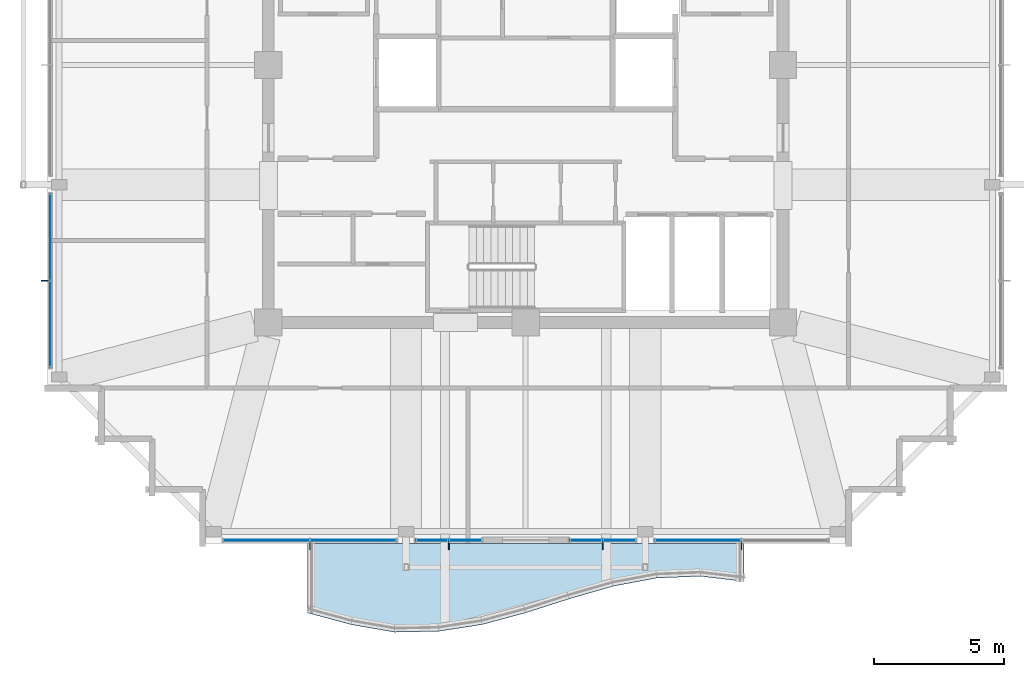
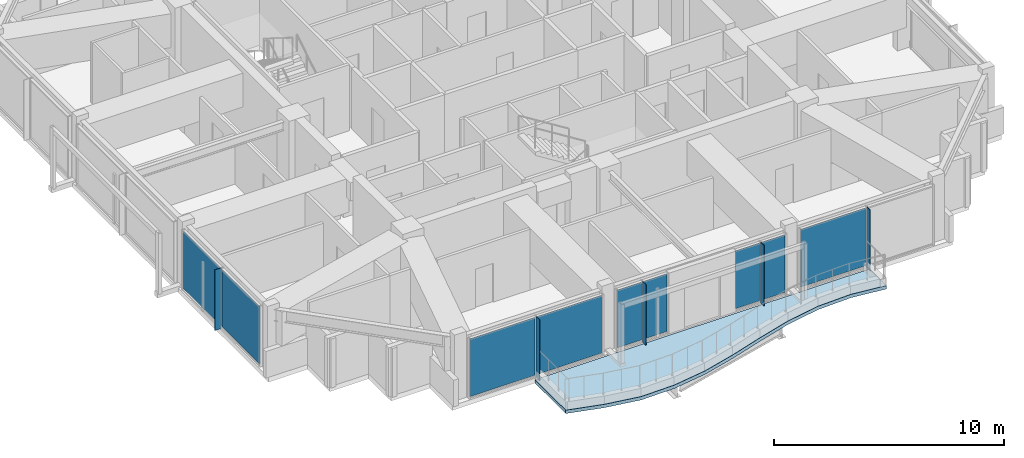
# One storey, part 20 of 30: 14 plates, 1 slab, 5 elements without a shape of their own.
"""IFC4 building model written with IfcOpenShell, lengths in metres."""

from ifc_helpers import new_model, si_unit, direction, frame, origin, origin_2d, place, context, subcontext, project, spatial, polyline, rectangle, outline, extrude, material, layer, layer_set, type_object, element, aggregate, save


model = new_model("IFC4")

# Units and contexts
model_context = context("Model", 3, precision=1e-05, world=origin(), true_north=direction((0.0, 1.0)))
body_context = subcontext(model_context, "Body", "Model", "MODEL_VIEW")
ifc_project = project(units=[si_unit("LENGTHUNIT", "METRE"), si_unit("AREAUNIT", "SQUARE_METRE"), si_unit("VOLUMEUNIT", "CUBIC_METRE"), si_unit("PLANEANGLEUNIT", "RADIAN"), si_unit("MASSUNIT", "GRAM", prefix="KILO")], contexts=[model_context])

# Site, building, storey
site_placement = place(None, origin())
site = spatial("IfcSite", under=ifc_project, at=site_placement, CompositionType="ELEMENT")
building_placement = place(site_placement, origin())
building = spatial("IfcBuilding", under=site, at=building_placement, Name="Kolvaren Belvedere", CompositionType="ELEMENT")
storey_placement = place(building_placement, frame((0.0, 0.0, 254.89990234375)))
storey = spatial("IfcBuildingStorey", under=building, at=storey_placement, Name="L74", CompositionType="ELEMENT", Elevation=254.89990234375)

# Curtain wall, plate
ifc_material_1 = material(Name="Anodised pale-metal aluminium AA 6063-T6", Category="aluminium")
curtain_wall_type = type_object("IfcCurtainWallType", Name="CW-Z5-HIGH", PredefinedType="NOTDEFINED", material=ifc_material_1)
curtain_wall_1_placement = place(storey_placement, origin())
curtain_wall_1 = element("IfcCurtainWall", 1, at=curtain_wall_1_placement, inside=storey, type_object=curtain_wall_type, Name="L74 Unitised Curtain Wall FCW-L74-S1-B1", PredefinedType="NOTDEFINED")
ifc_material_2 = material(Name="Low-iron triple insulated glass", Category="glass")
ifc_layer_1 = layer(ifc_material_2, 0.028076171875)
ifc_layer_set_1 = layer_set([ifc_layer_1], Name="Low-iron triple insulated glass")
plate_type_1 = type_object("IfcPlateType", Name="CW-PNL-VIS28", PredefinedType="CURTAIN_PANEL", material=ifc_layer_set_1)
plate_1_placement = place(storey_placement, frame((6.62744140625, -18.280029296875, 0.080078125), z_axis=(0.0, 0.0, 1.0), x_axis=(-1.0, 0.0, 0.0)))
plate_1 = element("IfcPlate", 2, at=plate_1_placement, type_object=plate_type_1, Name="FCW-L74-S1-B1 Vision Glazing Panel 2", PredefinedType="CURTAIN_PANEL", context=body_context, shape_type="SweptSolid", body=[
    extrude(rectangle(XDim=3.264892578125, YDim=0.028076171875, at=origin_2d()), origin(), (0.0, 0.0, 1.0), 3.06005859375),
])
aggregate(curtain_wall_1, [plate_1])

# Curtain wall, plates
curtain_wall_2_placement = place(storey_placement, origin())
curtain_wall_2 = element("IfcCurtainWall", 3, at=curtain_wall_2_placement, inside=storey, type_object=curtain_wall_type, Name="L74 Unitised Curtain Wall FCW-L74-S1-B2", PredefinedType="NOTDEFINED")
plate_2_placement = place(storey_placement, frame((3.603759765625, -18.280029296875, 0.080078125), z_axis=(0.0, 0.0, 1.0), x_axis=(-1.0, 0.0, 0.0)))
plate_2 = element("IfcPlate", 4, at=plate_2_placement, type_object=plate_type_1, Name="FCW-L74-S1-B2 Vision Glazing Panel 1", PredefinedType="CURTAIN_PANEL", context=body_context, shape_type="SweptSolid", body=[
    extrude(rectangle(XDim=1.202392578125, YDim=0.028076171875, at=origin_2d()), origin(), (0.0, 0.0, 1.0), 3.06005859375),
])
plate_3_placement = place(storey_placement, frame((2.3212890625, -18.280029296875, 0.080078125), z_axis=(0.0, 0.0, 1.0), x_axis=(-1.0, 0.0, 0.0)))
plate_3 = element("IfcPlate", 5, at=plate_3_placement, type_object=plate_type_1, Name="FCW-L74-S1-B2 Vision Glazing Panel 2", PredefinedType="CURTAIN_PANEL", context=body_context, shape_type="SweptSolid", body=[
    extrude(rectangle(XDim=1.202392578125, YDim=0.028076171875, at=origin_2d()), origin(), (0.0, 0.0, 1.0), 3.06005859375),
])
aggregate(curtain_wall_2, [plate_2, plate_3])

curtain_wall_3_placement = place(storey_placement, origin())
curtain_wall_3 = element("IfcCurtainWall", 6, at=curtain_wall_3_placement, inside=storey, type_object=curtain_wall_type, Name="L74 Unitised Curtain Wall FCW-L74-S2-B1", PredefinedType="NOTDEFINED")
plate_4_placement = place(storey_placement, frame((-2.3212890625, -18.280029296875, 0.080078125), z_axis=(0.0, 0.0, 1.0), x_axis=(-1.0, 0.0, 0.0)))
plate_4 = element("IfcPlate", 7, at=plate_4_placement, type_object=plate_type_1, Name="FCW-L74-S2-B1 Vision Glazing Panel 1", PredefinedType="CURTAIN_PANEL", context=body_context, shape_type="SweptSolid", body=[
    extrude(rectangle(XDim=1.202392578125, YDim=0.028076171875, at=origin_2d()), origin(), (0.0, 0.0, 1.0), 3.06005859375),
])
plate_5_placement = place(storey_placement, frame((-3.603759765625, -18.280029296875, 0.080078125), z_axis=(0.0, 0.0, 1.0), x_axis=(-1.0, 0.0, 0.0)))
plate_5 = element("IfcPlate", 8, at=plate_5_placement, type_object=plate_type_1, Name="FCW-L74-S2-B1 Vision Glazing Panel 2", PredefinedType="CURTAIN_PANEL", context=body_context, shape_type="SweptSolid", body=[
    extrude(rectangle(XDim=1.202392578125, YDim=0.028076171875, at=origin_2d()), origin(), (0.0, 0.0, 1.0), 3.06005859375),
])
aggregate(curtain_wall_3, [plate_4, plate_5])

curtain_wall_4_placement = place(storey_placement, origin())
curtain_wall_4 = element("IfcCurtainWall", 9, at=curtain_wall_4_placement, inside=storey, type_object=curtain_wall_type, Name="L74 Unitised Curtain Wall FCW-L74-S2-B2", PredefinedType="NOTDEFINED")
plate_6_placement = place(storey_placement, frame((-6.62744140625, -18.280029296875, 0.080078125), z_axis=(0.0, 0.0, 1.0), x_axis=(-1.0, 0.0, 0.0)))
plate_6 = element("IfcPlate", 10, at=plate_6_placement, type_object=plate_type_1, Name="FCW-L74-S2-B2 Vision Glazing Panel 1", PredefinedType="CURTAIN_PANEL", context=body_context, shape_type="SweptSolid", body=[
    extrude(rectangle(XDim=3.264892578125, YDim=0.028076171875, at=origin_2d()), origin(), (0.0, 0.0, 1.0), 3.06005859375),
])
plate_7_placement = place(storey_placement, frame((-9.972412109375, -18.280029296875, 0.080078125), z_axis=(0.0, 0.0, 1.0), x_axis=(-1.0, 0.0, 0.0)))
plate_7 = element("IfcPlate", 11, at=plate_7_placement, type_object=plate_type_1, Name="FCW-L74-S2-B2 Vision Glazing Panel 2", PredefinedType="CURTAIN_PANEL", context=body_context, shape_type="SweptSolid", body=[
    extrude(rectangle(XDim=3.264892578125, YDim=0.028076171875, at=origin_2d()), origin(), (0.0, 0.0, 1.0), 3.06005859375),
])
aggregate(curtain_wall_4, [plate_6, plate_7])

curtain_wall_5_placement = place(storey_placement, origin())
curtain_wall_5 = element("IfcCurtainWall", 12, at=curtain_wall_5_placement, inside=storey, type_object=curtain_wall_type, Name="L74 Unitised Curtain Wall FCW-L74-W-B1", PredefinedType="NOTDEFINED")
plate_8_placement = place(storey_placement, frame((-18.280029296875, -9.972412109375, 0.080078125), z_axis=(0.0, 0.0, 1.0), x_axis=(0.0, 1.0, 0.0)))
plate_8 = element("IfcPlate", 13, at=plate_8_placement, type_object=plate_type_1, Name="FCW-L74-W-B1 Vision Glazing Panel 1", PredefinedType="CURTAIN_PANEL", context=body_context, shape_type="SweptSolid", body=[
    extrude(rectangle(XDim=3.264892578125, YDim=0.028076171875, at=origin_2d()), origin(), (0.0, 0.0, 1.0), 3.06005859375),
])
plate_9_placement = place(storey_placement, frame((-18.280029296875, -6.62744140625, 0.080078125), z_axis=(0.0, 0.0, 1.0), x_axis=(0.0, 1.0, 0.0)))
plate_9 = element("IfcPlate", 14, at=plate_9_placement, type_object=plate_type_1, Name="FCW-L74-W-B1 Vision Glazing Panel 2", PredefinedType="CURTAIN_PANEL", context=body_context, shape_type="SweptSolid", body=[
    extrude(rectangle(XDim=3.264892578125, YDim=0.028076171875, at=origin_2d()), origin(), (0.0, 0.0, 1.0), 3.06005859375),
])
aggregate(curtain_wall_5, [plate_8, plate_9])

# Plates
ifc_material_3 = material(Name="Anodised pale-metal aluminium AA 6063-T6", Category="aluminium")
ifc_layer_2 = layer(ifc_material_3, 0.030029296875)
ifc_layer_set_2 = layer_set([ifc_layer_2], Name="Anodised pale-metal aluminium AA 6063-T6")
plate_type_2 = type_object("IfcPlateType", Name="FIN-VERT-300", PredefinedType="USERDEFINED", material=ifc_layer_set_2)
for number, where, z_axis, x_axis, name in (
    (15, (8.300048828125, -18.489990234375, 0.0), (0.0, 0.0, 1.0), (0.0, 1.0, 0.0), "L74 Pale-Metal Vertical Shading Fin FCW-L74-S1-B1-1"),
    (16, (2.96240234375, -18.489990234375, 0.0), (0.0, 0.0, 1.0), (0.0, 1.0, 0.0), "L74 Pale-Metal Vertical Shading Fin FCW-L74-S1-B2-1"),
    (17, (-2.96240234375, -18.489990234375, 0.0), (0.0, 0.0, 1.0), (0.0, 1.0, 0.0), "L74 Pale-Metal Vertical Shading Fin FCW-L74-S2-B1-1"),
    (18, (-8.300048828125, -18.489990234375, 0.0), (0.0, 0.0, 1.0), (0.0, 1.0, 0.0), "L74 Pale-Metal Vertical Shading Fin FCW-L74-S2-B2-1"),
    (19, (-18.489990234375, -8.300048828125, 0.0), (0.0, 0.0, 1.0), (1.0, 0.0, 0.0), "L74 Pale-Metal Vertical Shading Fin FCW-L74-W-B1-1"),
):
    element("IfcPlate", number, at=place(storey_placement, frame(where, z_axis=z_axis, x_axis=x_axis)), inside=storey, type_object=plate_type_2, Name=name, ObjectType="VERTICAL FIN", PredefinedType="USERDEFINED", context=body_context, shape_type="SweptSolid", body=[
        extrude(rectangle(XDim=0.300048828125, YDim=0.030029296875, at=origin_2d()), origin(), (0.0, 0.0, 1.0), 3.219970703125),
    ])

# Slab
ifc_material_4 = material(Name="Concrete C50/60", Category="concrete")
ifc_layer_3 = layer(ifc_material_4, 0.179931640625)
ifc_layer_set_3 = layer_set([ifc_layer_3], Name="Concrete C50/60")
slab_type = type_object("IfcSlabType", Name="SL-BAL-180", PredefinedType="FLOOR", material=ifc_layer_set_3)
slab_placement = place(storey_placement, frame((0.0, 0.0, -0.25)))
element("IfcSlab", 20, at=slab_placement, inside=storey, type_object=slab_type, Name="L74 Planted Balcony BAL-S", PredefinedType="FLOOR", context=body_context, shape_type="SweptSolid", body=[
    extrude(outline(polyline([(-8.39990234375, -21.07373046875), (-6.719970703125, -21.52734375), (-5.0400390625, -21.820068359375), (-3.360107421875, -21.7861328125), (-1.679931640625, -21.52734375), (0.0, -21.07373046875), (1.679931640625, -20.53759765625), (3.360107421875, -20.051513671875), (5.0400390625, -19.73583984375), (6.719970703125, -19.66845703125), (8.39990234375, -19.8662109375), (8.39990234375, -18.39990234375), (6.719970703125, -18.39990234375), (5.0400390625, -18.39990234375), (3.360107421875, -18.39990234375), (1.679931640625, -18.39990234375), (0.0, -18.39990234375), (-1.679931640625, -18.39990234375), (-3.360107421875, -18.39990234375), (-5.0400390625, -18.39990234375), (-6.719970703125, -18.39990234375), (-8.39990234375, -18.39990234375), (-8.39990234375, -21.07373046875)])), origin(), (0.0, 0.0, 1.0), 0.18017578125),
])

save(model, "model.ifc")
